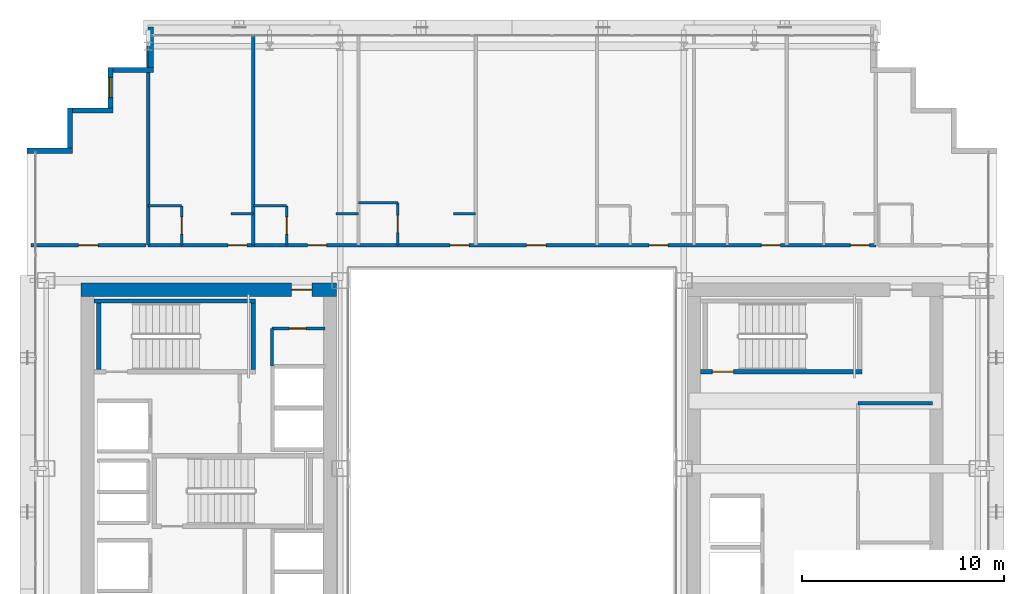
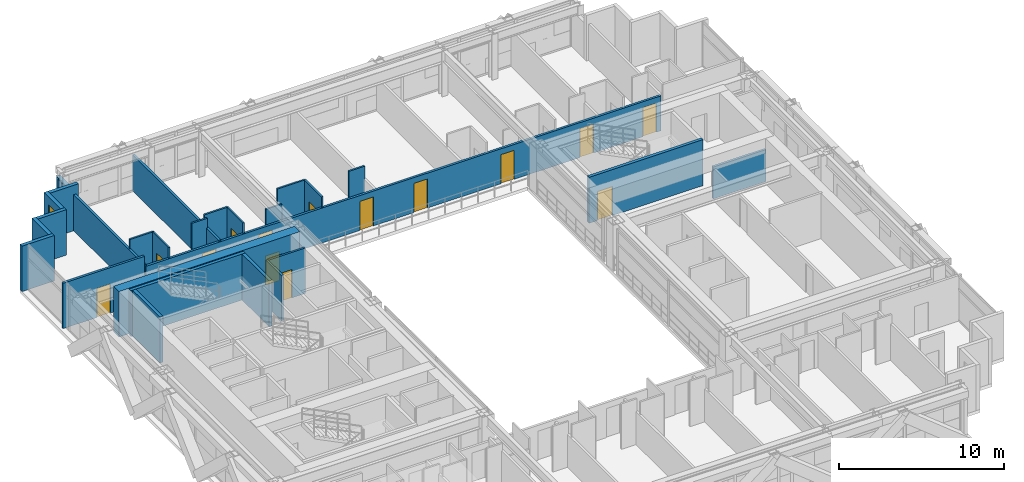
# One storey, part 34 of 39: 27 walls, 14 doors, 1 window, 15 openings.
"""IFC4 building model written with IfcOpenShell, lengths in metres."""

from ifc_helpers import new_model, si_unit, direction, frame, frame_2d, origin, place, context, subcontext, project, spatial, rectangle, extrude, source, transform, mapped, material, layer, layer_set, type_object, element, fill, save


model = new_model("IFC4")

# Units and contexts
model_context = context("Model", 3, precision=1e-05, world=origin(), true_north=direction((0.0, 1.0)))
body_context = subcontext(model_context, "Body", "Model", "MODEL_VIEW")
ifc_project = project(units=[si_unit("LENGTHUNIT", "METRE"), si_unit("AREAUNIT", "SQUARE_METRE"), si_unit("VOLUMEUNIT", "CUBIC_METRE"), si_unit("PLANEANGLEUNIT", "RADIAN"), si_unit("MASSUNIT", "GRAM", prefix="KILO")], contexts=[model_context])

# Site, building, storey
site_placement = place(None, origin())
site = spatial("IfcSite", under=ifc_project, at=site_placement, CompositionType="ELEMENT")
building_placement = place(site_placement, origin())
building = spatial("IfcBuilding", under=site, at=building_placement, Name="Ocotamira Hotel", CompositionType="ELEMENT")
storey_placement = place(building_placement, frame((0.0, 0.0, 104.39990234375)))
storey = spatial("IfcBuildingStorey", under=building, at=storey_placement, Name="L25", CompositionType="ELEMENT", Elevation=104.39990234375)

# Wall, opening, door
ifc_material_1 = material(Name="Concrete C60/75", Category="concrete")
ifc_layer_1 = layer(ifc_material_1, 0.64990234375)
ifc_layer_set_1 = layer_set([ifc_layer_1], Name="Concrete C60/75")
wall_type_1 = type_object("IfcWallType", Name="WL-CORE-650", PredefinedType="SHEAR", material=ifc_layer_set_1)
wall_1_placement = place(storey_placement, frame((10.675048828125, 37.0, 0.0), z_axis=(0.0, 0.0, 1.0), x_axis=(1.0, 0.0, 0.0)))
wall_1 = element("IfcWall", 1, at=wall_1_placement, inside=storey, type_object=wall_type_1, Name="L25 Shear Core Wall WCORE-N", PredefinedType="SHEAR", context=body_context, shape_type="SweptSolid", body=[
    extrude(rectangle(XDim=12.64990234375, YDim=0.64990234375, at=frame_2d((6.324951171875, 0.0))), origin(), (0.0, 0.0, 1.0), 3.360107421875),
])
opening_1_placement = place(wall_1_placement, frame((10.425048828125, 0.0, 0.0)))
opening_1 = element("IfcOpeningElement", 2, at=opening_1_placement, cuts=wall_1, Name="Opening D-FR2", PredefinedType="OPENING", context=body_context, shape_type="SweptSolid", body=[
    extrude(rectangle(XDim=1.0, YDim=2.14990234375, at=frame_2d((0.5, 1.074951171875))), frame((0.0, 0.3349609375, 0.0), z_axis=(0.0, -1.0, 0.0), x_axis=(1.0, 0.0, 0.0)), (0.0, 0.0, 1.0), 0.669921875),
])
ifc_material_2 = material(Name="Fire-rated acoustic timber-veneer door", Category="wood")
door_type_1 = type_object("IfcDoorType", Name="DR-FIRE-1000", OperationType="NOTDEFINED", PredefinedType="DOOR", material=ifc_material_2)
shared_shape_1 = source(origin(), body_context, "Body", "SweptSolid", [
    extrude(rectangle(XDim=1.0, YDim=2.14990234375, at=frame_2d((0.5, 1.074951171875))), frame((0.0, 0.02490234375, 0.0), z_axis=(0.0, -1.0, 0.0), x_axis=(1.0, 0.0, 0.0)), (0.0, 0.0, 1.0), 0.050048828125),
])
door_1_placement = place(opening_1_placement, origin())
door_1 = element("IfcDoor", 3, at=door_1_placement, inside=storey, type_object=door_type_1, Name="L25 Door ID-L25-WLOB-N-D [ID-L25-WLOB-N-D]", OperationType="SINGLE_SWING_RIGHT", OverallHeight=2.14990234375, OverallWidth=1.0, PredefinedType="DOOR", context=body_context, shape_type="MappedRepresentation", body=[
    mapped(shared_shape_1, transform((0.0, 0.0, 0.0), scale=1.0)),
])
fill(opening_1, door_1)

# Walls
ifc_material_3 = material(Name="Precast concrete C45/55", Category="concrete")
ifc_layer_2 = layer(ifc_material_3, 0.25)
ifc_layer_set_2 = layer_set([ifc_layer_2], Name="Precast concrete C45/55")
wall_type_2 = type_object("IfcWallType", Name="WL-EXT-SER-250", PredefinedType="SOLIDWALL", material=ifc_layer_set_2)
wall_2_placement = place(storey_placement, frame((14.125, 50.0, 0.0), z_axis=(0.0, 0.0, 1.0), x_axis=(0.0, -1.0, 0.0)))
element("IfcWall", 4, at=wall_2_placement, inside=storey, type_object=wall_type_2, Name="L25 Serrated Corner Wall 13", PredefinedType="SOLIDWALL", context=body_context, shape_type="SweptSolid", body=[
    extrude(rectangle(XDim=2.0, YDim=0.25, at=frame_2d((1.0, 0.0))), origin(), (0.0, 0.0, 1.0), 2.6669921875),
])
wall_3_placement = place(storey_placement, frame((14.25, 47.875, 0.0), z_axis=(0.0, 0.0, 1.0), x_axis=(-1.0, 0.0, 0.0)))
element("IfcWall", 5, at=wall_3_placement, inside=storey, type_object=wall_type_2, Name="L25 Serrated Corner Wall 14", PredefinedType="SOLIDWALL", context=body_context, shape_type="SweptSolid", body=[
    extrude(rectangle(XDim=2.0, YDim=0.25, at=frame_2d((1.0, 0.0))), origin(), (0.0, 0.0, 1.0), 3.360107421875),
])

# Wall, opening, window
wall_4_placement = place(storey_placement, frame((12.125, 48.0, 0.0), z_axis=(0.0, 0.0, 1.0), x_axis=(0.0, -1.0, 0.0)))
wall_4 = element("IfcWall", 6, at=wall_4_placement, inside=storey, type_object=wall_type_2, Name="L25 Serrated Corner Wall 15", PredefinedType="SOLIDWALL", context=body_context, shape_type="SweptSolid", body=[
    extrude(rectangle(XDim=2.0, YDim=0.25, at=frame_2d((1.0, 0.0))), origin(), (0.0, 0.0, 1.0), 3.360107421875),
])
opening_2_placement = place(wall_4_placement, frame((0.5, 0.0, 0.85009765625)))
opening_2 = element("IfcOpeningElement", 7, at=opening_2_placement, cuts=wall_4, Name="Opening WN-2", PredefinedType="OPENING", context=body_context, shape_type="SweptSolid", body=[
    extrude(rectangle(XDim=1.0, YDim=1.89990234375, at=frame_2d((0.5, 0.949951171875))), frame((0.0, 0.135009765625, 0.0), z_axis=(0.0, -1.0, 0.0), x_axis=(1.0, 0.0, 0.0)), (0.0, 0.0, 1.0), 0.27001953125),
])
ifc_material_4 = material(Name="Double-silver low-E solar glass", Category="glass")
window_type = type_object("IfcWindowType", Name="WIN-SER-1100", PartitioningType="SINGLE_PANEL", PredefinedType="WINDOW", material=ifc_material_4)
shared_shape_2 = source(origin(), body_context, "Body", "SweptSolid", [
    extrude(rectangle(XDim=1.0, YDim=1.89990234375, at=frame_2d((0.5, 0.949951171875))), frame((0.0, 0.030029296875, 0.0), z_axis=(0.0, -1.0, 0.0), x_axis=(1.0, 0.0, 0.0)), (0.0, 0.0, 1.0), 0.06005859375),
])
window_placement = place(opening_2_placement, origin())
window = element("IfcWindow", 8, at=window_placement, inside=storey, type_object=window_type, Name="L25 Serrated Corner Window 15", OverallHeight=1.89990234375, OverallWidth=1.0, PartitioningType="SINGLE_PANEL", PredefinedType="WINDOW", context=body_context, shape_type="MappedRepresentation", body=[
    mapped(shared_shape_2, transform((0.0, 0.0, 0.0), scale=1.0)),
])
fill(opening_2, window)

# Walls
for number, where, z_axis, x_axis, name in (
    (9, (12.25, 45.875, 0.0), (0.0, 0.0, 1.0), (-1.0, 0.0, 0.0), "L25 Serrated Corner Wall 16"),
    (10, (10.125, 46.0, 0.0), (0.0, 0.0, 1.0), (0.0, -1.0, 0.0), "L25 Serrated Corner Wall 17"),
):
    element("IfcWall", number, at=place(storey_placement, frame(where, z_axis=z_axis, x_axis=x_axis)), inside=storey, type_object=wall_type_2, Name=name, PredefinedType="SOLIDWALL", context=body_context, shape_type="SweptSolid", body=[
        extrude(rectangle(XDim=2.0, YDim=0.25, at=frame_2d((1.0, 0.0))), origin(), (0.0, 0.0, 1.0), 3.360107421875),
    ])
wall_5_placement = place(storey_placement, frame((10.25, 43.875, 0.0), z_axis=(0.0, 0.0, 1.0), x_axis=(-1.0, 0.0, 0.0)))
element("IfcWall", 11, at=wall_5_placement, inside=storey, type_object=wall_type_2, Name="L25 Serrated Corner Wall 18", PredefinedType="SOLIDWALL", context=body_context, shape_type="SweptSolid", body=[
    extrude(rectangle(XDim=2.25, YDim=0.25, at=frame_2d((1.125, 0.0))), origin(), (0.0, 0.0, 1.0), 3.360107421875),
])
ifc_material_5 = material(Name="Acoustic double-layer fire gypsum board partition", Category="gypsum")
ifc_layer_3 = layer(ifc_material_5, 0.159912109375)
ifc_layer_set_3 = layer_set([ifc_layer_3], Name="Acoustic double-layer fire gypsum board partition")
wall_type_3 = type_object("IfcWallType", Name="WL-FIRE-160", PredefinedType="PARTITIONING", material=ifc_layer_set_3)
wall_6_placement = place(storey_placement, frame((49.1201171875, 31.3798828125, 0.0), z_axis=(0.0, 0.0, 1.0), x_axis=(1.0, 0.0, 0.0)))
element("IfcWall", 12, at=wall_6_placement, inside=storey, type_object=wall_type_3, Name="L25 Interior Wall PW-L25-EC-FLOW-N", PredefinedType="PARTITIONING", context=body_context, shape_type="SweptSolid", body=[
    extrude(rectangle(XDim=3.679931640625, YDim=0.159912109375, at=frame_2d((1.83984375, 0.0))), origin(), (0.0, 0.0, 1.0), 2.360107421875),
])

# Wall, opening, door
wall_7_placement = place(storey_placement, frame((8.199951171875, 39.199951171875, 0.0), z_axis=(0.0, 0.0, 1.0), x_axis=(1.0, 0.0, 0.0)))
wall_7 = element("IfcWall", 13, at=wall_7_placement, inside=storey, type_object=wall_type_3, Name="L25 Interior Wall PW-L25-Z2A-CNW-CW", PredefinedType="PARTITIONING", context=body_context, shape_type="SweptSolid", body=[
    extrude(rectangle(XDim=5.679931640625, YDim=0.159912109375, at=frame_2d((2.83984375, 0.0))), origin(), (0.0, 0.0, 1.0), 3.360107421875),
])
opening_3_placement = place(wall_7_placement, frame((2.360107421875, 0.0, 0.0)))
opening_3 = element("IfcOpeningElement", 14, at=opening_3_placement, cuts=wall_7, Name="Opening D-SV4", PredefinedType="OPENING", context=body_context, shape_type="SweptSolid", body=[
    extrude(rectangle(XDim=0.9599609375, YDim=2.14990234375, at=frame_2d((0.47998046875, 1.074951171875))), frame((0.0, 0.08984375, 0.0), z_axis=(0.0, -1.0, 0.0), x_axis=(1.0, 0.0, 0.0)), (0.0, 0.0, 1.0), 0.179931640625),
])
ifc_material_6 = material(Name="Fire-rated accessible walnut salon door", Category="wood")
door_type_2 = type_object("IfcDoorType", Name="DR-SERV-960", OperationType="NOTDEFINED", PredefinedType="DOOR", material=ifc_material_6)
shared_shape_3 = source(origin(), body_context, "Body", "SweptSolid", [
    extrude(rectangle(XDim=0.9599609375, YDim=2.14990234375, at=frame_2d((0.47998046875, 1.074951171875))), frame((0.0, 0.02490234375, 0.0), z_axis=(0.0, -1.0, 0.0), x_axis=(1.0, 0.0, 0.0)), (0.0, 0.0, 1.0), 0.050048828125),
])
door_2_placement = place(opening_3_placement, origin())
door_2 = element("IfcDoor", 15, at=door_2_placement, inside=storey, type_object=door_type_2, Name="L25 Door ID-L25-Z2A-CNW-CD [ID-L25-Z2A-CNW-CD]", OperationType="SINGLE_SWING_LEFT", OverallHeight=2.14990234375, OverallWidth=0.9599609375, PredefinedType="DOOR", context=body_context, shape_type="MappedRepresentation", body=[
    mapped(shared_shape_3, transform((0.0, 0.0, 0.0), scale=1.0)),
])
fill(opening_3, door_2)

# Wall, openings, doors
wall_8_placement = place(storey_placement, frame((14.0, 39.199951171875, 0.0), z_axis=(0.0, 0.0, 1.0), x_axis=(1.0, 0.0, 0.0)))
wall_8 = element("IfcWall", 16, at=wall_8_placement, inside=storey, type_object=wall_type_3, Name="L25 Interior Wall PW-L25-Z2AN-CORRW", PredefinedType="PARTITIONING", context=body_context, shape_type="SweptSolid", body=[
    extrude(rectangle(XDim=36.0, YDim=0.159912109375, at=frame_2d((18.0, 0.0))), origin(), (0.0, 0.0, 1.0), 2.5810546875),
])
opening_4_placement = place(wall_8_placement, frame((3.93994140625, 0.0, 0.0)))
opening_4 = element("IfcOpeningElement", 17, at=opening_4_placement, cuts=wall_8, Name="Opening D-GR1", PredefinedType="OPENING", context=body_context, shape_type="SweptSolid", body=[
    extrude(rectangle(XDim=0.93994140625, YDim=2.14990234375, at=frame_2d((0.469970703125, 1.074951171875))), frame((0.0, 0.08984375, 0.0), z_axis=(0.0, -1.0, 0.0), x_axis=(1.0, 0.0, 0.0)), (0.0, 0.0, 1.0), 0.179931640625),
])
opening_5_placement = place(wall_8_placement, frame((7.889892578125, 0.0, 0.0)))
opening_5 = element("IfcOpeningElement", 18, at=opening_5_placement, cuts=wall_8, Name="Opening D-GR1", PredefinedType="OPENING", context=body_context, shape_type="SweptSolid", body=[
    extrude(rectangle(XDim=0.93994140625, YDim=2.14990234375, at=frame_2d((0.469970703125, 1.074951171875))), frame((0.0, 0.08984375, 0.0), z_axis=(0.0, -1.0, 0.0), x_axis=(1.0, 0.0, 0.0)), (0.0, 0.0, 1.0), 0.179931640625),
])
opening_6_placement = place(wall_8_placement, frame((14.93994140625, 0.0, 0.0)))
opening_6 = element("IfcOpeningElement", 19, at=opening_6_placement, cuts=wall_8, Name="Opening D-GR1", PredefinedType="OPENING", context=body_context, shape_type="SweptSolid", body=[
    extrude(rectangle(XDim=0.93994140625, YDim=2.14990234375, at=frame_2d((0.469970703125, 1.074951171875))), frame((0.0, 0.08984375, 0.0), z_axis=(0.0, -1.0, 0.0), x_axis=(1.0, 0.0, 0.0)), (0.0, 0.0, 1.0), 0.179931640625),
])
opening_7_placement = place(wall_8_placement, frame((18.719970703125, 0.0, 0.0)))
opening_7 = element("IfcOpeningElement", 20, at=opening_7_placement, cuts=wall_8, Name="Opening D-SV4", PredefinedType="OPENING", context=body_context, shape_type="SweptSolid", body=[
    extrude(rectangle(XDim=0.9599609375, YDim=2.14990234375, at=frame_2d((0.47998046875, 1.074951171875))), frame((0.0, 0.08984375, 0.0), z_axis=(0.0, -1.0, 0.0), x_axis=(1.0, 0.0, 0.0)), (0.0, 0.0, 1.0), 0.179931640625),
])
opening_8_placement = place(wall_8_placement, frame((24.7900390625, 0.0, 0.0)))
opening_8 = element("IfcOpeningElement", 21, at=opening_8_placement, cuts=wall_8, Name="Opening D-GR1", PredefinedType="OPENING", context=body_context, shape_type="SweptSolid", body=[
    extrude(rectangle(XDim=0.93994140625, YDim=2.14990234375, at=frame_2d((0.469970703125, 1.074951171875))), frame((0.0, 0.08984375, 0.0), z_axis=(0.0, -1.0, 0.0), x_axis=(1.0, 0.0, 0.0)), (0.0, 0.0, 1.0), 0.179931640625),
])
opening_9_placement = place(wall_8_placement, frame((30.340087890625, 0.0, 0.0)))
opening_9 = element("IfcOpeningElement", 22, at=opening_9_placement, cuts=wall_8, Name="Opening D-GR1", PredefinedType="OPENING", context=body_context, shape_type="SweptSolid", body=[
    extrude(rectangle(XDim=0.93994140625, YDim=2.14990234375, at=frame_2d((0.469970703125, 1.074951171875))), frame((0.0, 0.08984375, 0.0), z_axis=(0.0, -1.0, 0.0), x_axis=(1.0, 0.0, 0.0)), (0.0, 0.0, 1.0), 0.179931640625),
])
opening_10_placement = place(wall_8_placement, frame((34.739990234375, 0.0, 0.0)))
opening_10 = element("IfcOpeningElement", 23, at=opening_10_placement, cuts=wall_8, Name="Opening D-GR1", PredefinedType="OPENING", context=body_context, shape_type="SweptSolid", body=[
    extrude(rectangle(XDim=0.93994140625, YDim=2.14990234375, at=frame_2d((0.469970703125, 1.074951171875))), frame((0.0, 0.08984375, 0.0), z_axis=(0.0, -1.0, 0.0), x_axis=(1.0, 0.0, 0.0)), (0.0, 0.0, 1.0), 0.179931640625),
])
door_3_placement = place(opening_7_placement, origin())
door_3 = element("IfcDoor", 24, at=door_3_placement, inside=storey, type_object=door_type_2, Name="L25 Door ID-L25-Z2AN-AMD4 [ID-L25-Z2AN-AMD4]", OperationType="SINGLE_SWING_RIGHT", OverallHeight=2.14990234375, OverallWidth=0.9599609375, PredefinedType="DOOR", context=body_context, shape_type="MappedRepresentation", body=[
    mapped(shared_shape_3, transform((0.0, 0.0, 0.0), scale=1.0)),
])
fill(opening_7, door_3)
ifc_material_7 = material(Name="Solid-core walnut suite entrance fire door", Category="wood")
door_type_3 = type_object("IfcDoorType", Name="DR-GUEST-940", OperationType="NOTDEFINED", PredefinedType="DOOR", material=ifc_material_7)
shared_shape_4 = source(origin(), body_context, "Body", "SweptSolid", [
    extrude(rectangle(XDim=0.93994140625, YDim=2.14990234375, at=frame_2d((0.469970703125, 1.074951171875))), frame((0.0, 0.02490234375, 0.0), z_axis=(0.0, -1.0, 0.0), x_axis=(1.0, 0.0, 0.0)), (0.0, 0.0, 1.0), 0.050048828125),
])
door_4_placement = place(opening_4_placement, origin())
door_4 = element("IfcDoor", 25, at=door_4_placement, inside=storey, type_object=door_type_3, Name="L25 Door ID-L25-Z2AN-RMD1 [ID-L25-Z2AN-RMD1]", OperationType="SINGLE_SWING_LEFT", OverallHeight=2.14990234375, OverallWidth=0.93994140625, PredefinedType="DOOR", context=body_context, shape_type="MappedRepresentation", body=[
    mapped(shared_shape_4, transform((0.0, 0.0, 0.0), scale=1.0)),
])
fill(opening_4, door_4)
door_5_placement = place(opening_5_placement, origin())
door_5 = element("IfcDoor", 26, at=door_5_placement, inside=storey, type_object=door_type_3, Name="L25 Door ID-L25-Z2AN-RMD2 [ID-L25-Z2AN-RMD2]", OperationType="SINGLE_SWING_RIGHT", OverallHeight=2.14990234375, OverallWidth=0.93994140625, PredefinedType="DOOR", context=body_context, shape_type="MappedRepresentation", body=[
    mapped(shared_shape_4, transform((0.0, 0.0, 0.0), scale=1.0)),
])
fill(opening_5, door_5)
door_6_placement = place(opening_6_placement, origin())
door_6 = element("IfcDoor", 27, at=door_6_placement, inside=storey, type_object=door_type_3, Name="L25 Door ID-L25-Z2AN-RMD3 [ID-L25-Z2AN-RMD3]", OperationType="SINGLE_SWING_LEFT", OverallHeight=2.14990234375, OverallWidth=0.93994140625, PredefinedType="DOOR", context=body_context, shape_type="MappedRepresentation", body=[
    mapped(shared_shape_4, transform((0.0, 0.0, 0.0), scale=1.0)),
])
fill(opening_6, door_6)
door_7_placement = place(opening_8_placement, origin())
door_7 = element("IfcDoor", 28, at=door_7_placement, inside=storey, type_object=door_type_3, Name="L25 Door ID-L25-Z2AN-RMD5 [ID-L25-Z2AN-RMD5]", OperationType="SINGLE_SWING_LEFT", OverallHeight=2.14990234375, OverallWidth=0.93994140625, PredefinedType="DOOR", context=body_context, shape_type="MappedRepresentation", body=[
    mapped(shared_shape_4, transform((0.0, 0.0, 0.0), scale=1.0)),
])
fill(opening_8, door_7)
door_8_placement = place(opening_9_placement, origin())
door_8 = element("IfcDoor", 29, at=door_8_placement, inside=storey, type_object=door_type_3, Name="L25 Door ID-L25-Z2AN-RMD6 [ID-L25-Z2AN-RMD6]", OperationType="SINGLE_SWING_RIGHT", OverallHeight=2.14990234375, OverallWidth=0.93994140625, PredefinedType="DOOR", context=body_context, shape_type="MappedRepresentation", body=[
    mapped(shared_shape_4, transform((0.0, 0.0, 0.0), scale=1.0)),
])
fill(opening_9, door_8)
door_9_placement = place(opening_10_placement, origin())
door_9 = element("IfcDoor", 30, at=door_9_placement, inside=storey, type_object=door_type_3, Name="L25 Door ID-L25-Z2AN-RMD7 [ID-L25-Z2AN-RMD7]", OperationType="SINGLE_SWING_LEFT", OverallHeight=2.14990234375, OverallWidth=0.93994140625, PredefinedType="DOOR", context=body_context, shape_type="MappedRepresentation", body=[
    mapped(shared_shape_4, transform((0.0, 0.0, 0.0), scale=1.0)),
])
fill(opening_10, door_9)

# Wall, opening, door
ifc_material_8 = material(Name="Moisture-resistant en-suite tile and gypsum partition", Category="gypsum")
ifc_layer_4 = layer(ifc_material_8, 0.1201171875)
ifc_layer_set_4 = layer_set([ifc_layer_4], Name="Moisture-resistant en-suite tile and gypsum partition")
wall_type_4 = type_object("IfcWallType", Name="WL-PART-120", PredefinedType="PARTITIONING", material=ifc_layer_set_4)
wall_9_placement = place(storey_placement, frame((15.64990234375, 39.199951171875, 0.0), z_axis=(0.0, 0.0, 1.0), x_axis=(0.0, 1.0, 0.0)))
wall_9 = element("IfcWall", 31, at=wall_9_placement, inside=storey, type_object=wall_type_4, Name="L25 Interior Wall PW-L25-Z2AN-BAE1", PredefinedType="PARTITIONING", context=body_context, shape_type="SweptSolid", body=[
    extrude(rectangle(XDim=1.949951171875, YDim=0.1201171875, at=frame_2d((0.97509765625, 0.0))), origin(), (0.0, 0.0, 1.0), 3.360107421875),
])
opening_11_placement = place(wall_9_placement, frame((0.544921875, 0.0, 0.0)))
opening_11 = element("IfcOpeningElement", 32, at=opening_11_placement, cuts=wall_9, Name="Opening D-BA1", PredefinedType="OPENING", context=body_context, shape_type="SweptSolid", body=[
    extrude(rectangle(XDim=0.860107421875, YDim=2.10009765625, at=frame_2d((0.43017578125, 1.050048828125))), frame((0.0, 0.070068359375, 0.0), z_axis=(0.0, -1.0, 0.0), x_axis=(1.0, 0.0, 0.0)), (0.0, 0.0, 1.0), 0.14013671875),
])
ifc_material_9 = material(Name="Moisture-sealed en-suite timber door", Category="wood")
door_type_4 = type_object("IfcDoorType", Name="DR-BATH-860", OperationType="NOTDEFINED", PredefinedType="DOOR", material=ifc_material_9)
shared_shape_5 = source(origin(), body_context, "Body", "SweptSolid", [
    extrude(rectangle(XDim=0.860107421875, YDim=2.10009765625, at=frame_2d((0.43017578125, 1.050048828125))), frame((0.0, 0.02490234375, 0.0), z_axis=(0.0, -1.0, 0.0), x_axis=(1.0, 0.0, 0.0)), (0.0, 0.0, 1.0), 0.050048828125),
])
door_10_placement = place(opening_11_placement, origin())
door_10 = element("IfcDoor", 33, at=door_10_placement, inside=storey, type_object=door_type_4, Name="L25 Door ID-L25-Z2AN-BAD1 [ID-L25-Z2AN-BAD1]", OperationType="SINGLE_SWING_RIGHT", OverallHeight=2.10009765625, OverallWidth=0.860107421875, PredefinedType="DOOR", context=body_context, shape_type="MappedRepresentation", body=[
    mapped(shared_shape_5, transform((0.0, 0.0, 0.0), scale=1.0)),
])
fill(opening_11, door_10)

# Walls
wall_10_placement = place(storey_placement, frame((14.0, 41.14990234375, 0.0), z_axis=(0.0, 0.0, 1.0), x_axis=(1.0, 0.0, 0.0)))
element("IfcWall", 34, at=wall_10_placement, inside=storey, type_object=wall_type_4, Name="L25 Interior Wall PW-L25-Z2AN-BAN1", PredefinedType="PARTITIONING", context=body_context, shape_type="SweptSolid", body=[
    extrude(rectangle(XDim=1.64990234375, YDim=0.1201171875, at=frame_2d((0.824951171875, 0.0))), origin(), (0.0, 0.0, 1.0), 3.360107421875),
])
wall_11_placement = place(storey_placement, frame((18.10009765625, 40.75, 0.0), z_axis=(0.0, 0.0, 1.0), x_axis=(1.0, 0.0, 0.0)))
element("IfcWall", 35, at=wall_11_placement, inside=storey, type_object=wall_type_4, Name="L25 Interior Wall PW-L25-Z2AN-DRN1", PredefinedType="PARTITIONING", context=body_context, shape_type="SweptSolid", body=[
    extrude(rectangle(XDim=1.099853515625, YDim=0.1201171875, at=frame_2d((0.5498046875, 0.0))), origin(), (0.0, 0.0, 1.0), 3.360107421875),
])

# Wall, opening, door
wall_12_placement = place(storey_placement, frame((20.85009765625, 39.199951171875, 0.0), z_axis=(0.0, 0.0, 1.0), x_axis=(0.0, 1.0, 0.0)))
wall_12 = element("IfcWall", 36, at=wall_12_placement, inside=storey, type_object=wall_type_4, Name="L25 Interior Wall PW-L25-Z2AN-BAE2", PredefinedType="PARTITIONING", context=body_context, shape_type="SweptSolid", body=[
    extrude(rectangle(XDim=1.949951171875, YDim=0.1201171875, at=frame_2d((0.97509765625, 0.0))), origin(), (0.0, 0.0, 1.0), 3.360107421875),
])
opening_12_placement = place(wall_12_placement, frame((0.544921875, 0.0, 0.0)))
opening_12 = element("IfcOpeningElement", 37, at=opening_12_placement, cuts=wall_12, Name="Opening D-BA1", PredefinedType="OPENING", context=body_context, shape_type="SweptSolid", body=[
    extrude(rectangle(XDim=0.860107421875, YDim=2.10009765625, at=frame_2d((0.43017578125, 1.050048828125))), frame((0.0, 0.070068359375, 0.0), z_axis=(0.0, -1.0, 0.0), x_axis=(1.0, 0.0, 0.0)), (0.0, 0.0, 1.0), 0.14013671875),
])
door_11_placement = place(opening_12_placement, origin())
door_11 = element("IfcDoor", 38, at=door_11_placement, inside=storey, type_object=door_type_4, Name="L25 Door ID-L25-Z2AN-BAD2 [ID-L25-Z2AN-BAD2]", OperationType="SINGLE_SWING_LEFT", OverallHeight=2.10009765625, OverallWidth=0.860107421875, PredefinedType="DOOR", context=body_context, shape_type="MappedRepresentation", body=[
    mapped(shared_shape_5, transform((0.0, 0.0, 0.0), scale=1.0)),
])
fill(opening_12, door_11)

# Walls
wall_13_placement = place(storey_placement, frame((19.199951171875, 41.14990234375, 0.0), z_axis=(0.0, 0.0, 1.0), x_axis=(1.0, 0.0, 0.0)))
element("IfcWall", 39, at=wall_13_placement, inside=storey, type_object=wall_type_4, Name="L25 Interior Wall PW-L25-Z2AN-BAN2", PredefinedType="PARTITIONING", context=body_context, shape_type="SweptSolid", body=[
    extrude(rectangle(XDim=1.650146484375, YDim=0.1201171875, at=frame_2d((0.8251953125, 0.0))), origin(), (0.0, 0.0, 1.0), 3.360107421875),
])
wall_14_placement = place(storey_placement, frame((23.300048828125, 40.75, 0.0), z_axis=(0.0, 0.0, 1.0), x_axis=(1.0, 0.0, 0.0)))
element("IfcWall", 40, at=wall_14_placement, inside=storey, type_object=wall_type_4, Name="L25 Interior Wall PW-L25-Z2AN-DRN2", PredefinedType="PARTITIONING", context=body_context, shape_type="SweptSolid", body=[
    extrude(rectangle(XDim=1.099853515625, YDim=0.1201171875, at=frame_2d((0.5498046875, 0.0))), origin(), (0.0, 0.0, 1.0), 2.5810546875),
])

# Wall, opening, door
wall_15_placement = place(storey_placement, frame((26.35009765625, 39.199951171875, 0.0), z_axis=(0.0, 0.0, 1.0), x_axis=(0.0, 1.0, 0.0)))
wall_15 = element("IfcWall", 41, at=wall_15_placement, inside=storey, type_object=wall_type_4, Name="L25 Interior Wall PW-L25-Z2AN-BAE3", PredefinedType="PARTITIONING", context=body_context, shape_type="SweptSolid", body=[
    extrude(rectangle(XDim=2.10009765625, YDim=0.1201171875, at=frame_2d((1.050048828125, 0.0))), origin(), (0.0, 0.0, 1.0), 3.360107421875),
])
opening_13_placement = place(wall_15_placement, frame((0.6201171875, 0.0, 0.0)))
opening_13 = element("IfcOpeningElement", 42, at=opening_13_placement, cuts=wall_15, Name="Opening D-BA1", PredefinedType="OPENING", context=body_context, shape_type="SweptSolid", body=[
    extrude(rectangle(XDim=0.860107421875, YDim=2.10009765625, at=frame_2d((0.43017578125, 1.050048828125))), frame((0.0, 0.070068359375, 0.0), z_axis=(0.0, -1.0, 0.0), x_axis=(1.0, 0.0, 0.0)), (0.0, 0.0, 1.0), 0.14013671875),
])
door_12_placement = place(opening_13_placement, origin())
door_12 = element("IfcDoor", 43, at=door_12_placement, inside=storey, type_object=door_type_4, Name="L25 Door ID-L25-Z2AN-BAD3 [ID-L25-Z2AN-BAD3]", OperationType="SINGLE_SWING_RIGHT", OverallHeight=2.10009765625, OverallWidth=0.860107421875, PredefinedType="DOOR", context=body_context, shape_type="MappedRepresentation", body=[
    mapped(shared_shape_5, transform((0.0, 0.0, 0.0), scale=1.0)),
])
fill(opening_13, door_12)

# Walls
wall_16_placement = place(storey_placement, frame((24.39990234375, 41.300048828125, 0.0), z_axis=(0.0, 0.0, 1.0), x_axis=(1.0, 0.0, 0.0)))
element("IfcWall", 44, at=wall_16_placement, inside=storey, type_object=wall_type_4, Name="L25 Interior Wall PW-L25-Z2AN-BAN3", PredefinedType="PARTITIONING", context=body_context, shape_type="SweptSolid", body=[
    extrude(rectangle(XDim=1.9501953125, YDim=0.1201171875, at=frame_2d((0.97509765625, 0.0))), origin(), (0.0, 0.0, 1.0), 3.360107421875),
])
wall_17_placement = place(storey_placement, frame((29.10009765625, 40.75, 0.0), z_axis=(0.0, 0.0, 1.0), x_axis=(1.0, 0.0, 0.0)))
element("IfcWall", 45, at=wall_17_placement, inside=storey, type_object=wall_type_4, Name="L25 Interior Wall PW-L25-Z2AN-DRN3", PredefinedType="PARTITIONING", context=body_context, shape_type="SweptSolid", body=[
    extrude(rectangle(XDim=1.099853515625, YDim=0.1201171875, at=frame_2d((0.5498046875, 0.0))), origin(), (0.0, 0.0, 1.0), 3.360107421875),
])
ifc_material_10 = material(Name="Acoustic hospitality gypsum board partition", Category="gypsum")
ifc_layer_5 = layer(ifc_material_10, 0.14208984375)
ifc_layer_set_5 = layer_set([ifc_layer_5], Name="Acoustic hospitality gypsum board partition")
wall_type_5 = type_object("IfcWallType", Name="WL-PART-142", PredefinedType="PARTITIONING", material=ifc_layer_set_5)
wall_18_placement = place(storey_placement, frame((20.1201171875, 33.219970703125, 0.0), z_axis=(0.0, 0.0, 1.0), x_axis=(0.0, 1.0, 0.0)))
element("IfcWall", 46, at=wall_18_placement, inside=storey, type_object=wall_type_5, Name="L25 Interior Wall PW-L25-WC-NE-W2", PredefinedType="PARTITIONING", context=body_context, shape_type="SweptSolid", body=[
    extrude(rectangle(XDim=1.860107421875, YDim=0.14208984375, at=frame_2d((0.93017578125, 0.0))), origin(), (0.0, 0.0, 1.0), 3.360107421875),
])

# Wall, opening, door
wall_19_placement = place(storey_placement, frame((20.1201171875, 35.080078125, 0.0), z_axis=(0.0, 0.0, 1.0), x_axis=(1.0, 0.0, 0.0)))
wall_19 = element("IfcWall", 47, at=wall_19_placement, inside=storey, type_object=wall_type_5, Name="L25 Interior Wall PW-L25-WC-NE-N2", PredefinedType="PARTITIONING", context=body_context, shape_type="SweptSolid", body=[
    extrude(rectangle(XDim=2.6298828125, YDim=0.14208984375, at=frame_2d((1.31494140625, 0.0))), origin(), (0.0, 0.0, 1.0), 3.360107421875),
])
opening_14_placement = place(wall_19_placement, frame((0.85009765625, 0.0, 0.0)))
opening_14 = element("IfcOpeningElement", 48, at=opening_14_placement, cuts=wall_19, Name="Opening D-SV1", PredefinedType="OPENING", context=body_context, shape_type="SweptSolid", body=[
    extrude(rectangle(XDim=0.840087890625, YDim=2.10009765625, at=frame_2d((0.419921875, 1.050048828125))), frame((0.0, 0.0810546875, 0.0), z_axis=(0.0, -1.0, 0.0), x_axis=(1.0, 0.0, 0.0)), (0.0, 0.0, 1.0), 0.162109375),
])
ifc_material_11 = material(Name="Fire-rated painted steel service door", Category="steel")
door_type_5 = type_object("IfcDoorType", Name="DR-SERV-840", OperationType="NOTDEFINED", PredefinedType="DOOR", material=ifc_material_11)
shared_shape_6 = source(origin(), body_context, "Body", "SweptSolid", [
    extrude(rectangle(XDim=0.840087890625, YDim=2.10009765625, at=frame_2d((0.419921875, 1.050048828125))), frame((0.0, 0.02490234375, 0.0), z_axis=(0.0, -1.0, 0.0), x_axis=(1.0, 0.0, 0.0)), (0.0, 0.0, 1.0), 0.050048828125),
])
door_13_placement = place(opening_14_placement, origin())
door_13 = element("IfcDoor", 49, at=door_13_placement, inside=storey, type_object=door_type_5, Name="L25 Door ID-L25-WC-NE-D2 [ID-L25-WC-NE-D2]", OperationType="SINGLE_SWING_RIGHT", OverallHeight=2.10009765625, OverallWidth=0.840087890625, PredefinedType="DOOR", context=body_context, shape_type="MappedRepresentation", body=[
    mapped(shared_shape_6, transform((0.0, 0.0, 0.0), scale=1.0)),
])
fill(opening_14, door_13)

# Walls
ifc_material_12 = material(Name="Acoustic double-stud hospitality gypsum partition", Category="gypsum")
ifc_layer_6 = layer(ifc_material_12, 0.159912109375)
ifc_layer_set_6 = layer_set([ifc_layer_6], Name="Acoustic double-stud hospitality gypsum partition")
wall_type_6 = type_object("IfcWallType", Name="WL-PART-160", PredefinedType="PARTITIONING", material=ifc_layer_set_6)
for number, where, z_axis, x_axis, name in (
    (50, (14.0, 39.199951171875, 0.0), (0.0, 0.0, 1.0), (0.0, 1.0, 0.0), "L25 Interior Wall PW-L25-Z2AN-PW0"),
    (51, (19.199951171875, 39.199951171875, 0.0), (0.0, 0.0, 1.0), (0.0, 1.0, 0.0), "L25 Interior Wall PW-L25-Z2AN-PW1"),
):
    element("IfcWall", number, at=place(storey_placement, frame(where, z_axis=z_axis, x_axis=x_axis)), inside=storey, type_object=wall_type_6, Name=name, PredefinedType="PARTITIONING", context=body_context, shape_type="SweptSolid", body=[
        extrude(rectangle(XDim=10.43994140625, YDim=0.159912109375, at=frame_2d((5.219970703125, 0.0))), origin(), (0.0, 0.0, 1.0), 2.6669921875),
    ])
ifc_material_13 = material(Name="Concrete C50/60", Category="concrete")
ifc_layer_7 = layer(ifc_material_13, 0.219970703125)
ifc_layer_set_7 = layer_set([ifc_layer_7], Name="Concrete C50/60")
wall_type_7 = type_object("IfcWallType", Name="WL-STAIR-220", PredefinedType="SHEAR", material=ifc_layer_set_7)
wall_20_placement = place(storey_placement, frame((11.324951171875, 36.43994140625, 0.0), z_axis=(0.0, 0.0, 1.0), x_axis=(1.0, 0.0, 0.0)))
element("IfcWall", 52, at=wall_20_placement, inside=storey, type_object=wall_type_7, Name="L25 Stair Shaft Structural Wall ST-2-N", PredefinedType="SHEAR", context=body_context, shape_type="SweptSolid", body=[
    extrude(rectangle(XDim=7.985107421875, YDim=0.219970703125, at=frame_2d((3.99267578125, 0.0))), origin(), (0.0, 0.0, 1.0), 3.400146484375),
])
for number, where, z_axis, x_axis, name in (
    (53, (11.56005859375, 33.050048828125, 0.0), (0.0, 0.0, 1.0), (0.0, 1.0, 0.0), "L25 Stair Shaft Structural Wall ST-2-W"),
    (54, (19.199951171875, 33.050048828125, 0.0), (0.0, 0.0, 1.0), (0.0, 1.0, 0.0), "L25 Stair Shaft Structural Wall ST-2-E"),
):
    element("IfcWall", number, at=place(storey_placement, frame(where, z_axis=z_axis, x_axis=x_axis)), inside=storey, type_object=wall_type_7, Name=name, PredefinedType="SHEAR", context=body_context, shape_type="SweptSolid", body=[
        extrude(rectangle(XDim=3.280029296875, YDim=0.219970703125, at=frame_2d((1.64013671875, 0.0))), origin(), (0.0, 0.0, 1.0), 3.400146484375),
    ])

# Wall, opening, door
wall_21_placement = place(storey_placement, frame((41.324951171875, 32.93994140625, 0.0), z_axis=(0.0, 0.0, 1.0), x_axis=(1.0, 0.0, 0.0)))
wall_21 = element("IfcWall", 55, at=wall_21_placement, inside=storey, type_object=wall_type_7, Name="L25 Stair Shaft Structural Wall ST-4-S", PredefinedType="SHEAR", context=body_context, shape_type="SweptSolid", body=[
    extrude(rectangle(XDim=7.985107421875, YDim=0.219970703125, at=frame_2d((3.99267578125, 0.0))), origin(), (0.0, 0.0, 1.0), 3.400146484375),
])
opening_15_placement = place(wall_21_placement, frame((0.594970703125, 0.0, 0.0)))
opening_15 = element("IfcOpeningElement", 56, at=opening_15_placement, cuts=wall_21, Name="Opening D-ST2", PredefinedType="OPENING", context=body_context, shape_type="SweptSolid", body=[
    extrude(rectangle(XDim=1.050048828125, YDim=2.14990234375, at=frame_2d((0.52490234375, 1.074951171875))), frame((0.0, 0.1201171875, 0.0), z_axis=(0.0, -1.0, 0.0), x_axis=(1.0, 0.0, 0.0)), (0.0, 0.0, 1.0), 0.239990234375),
])
ifc_material_14 = material(Name="Insulated painted hollow-metal fire exit door", Category="steel")
door_type_6 = type_object("IfcDoorType", Name="DR-STAIR-1050", OperationType="NOTDEFINED", PredefinedType="DOOR", material=ifc_material_14)
shared_shape_7 = source(origin(), body_context, "Body", "SweptSolid", [
    extrude(rectangle(XDim=1.050048828125, YDim=2.14990234375, at=frame_2d((0.52490234375, 1.074951171875))), frame((0.0, 0.02490234375, 0.0), z_axis=(0.0, -1.0, 0.0), x_axis=(1.0, 0.0, 0.0)), (0.0, 0.0, 1.0), 0.050048828125),
])
door_14_placement = place(opening_15_placement, origin())
door_14 = element("IfcDoor", 57, at=door_14_placement, inside=storey, type_object=door_type_6, Name="L25 Door ID-L25-STD-ST-4 [ID-L25-STD-ST-4]", OperationType="SINGLE_SWING_LEFT", OverallHeight=2.14990234375, OverallWidth=1.050048828125, PredefinedType="DOOR", context=body_context, shape_type="MappedRepresentation", body=[
    mapped(shared_shape_7, transform((0.0, 0.0, 0.0), scale=1.0)),
])
fill(opening_15, door_14)

save(model, "model.ifc")
